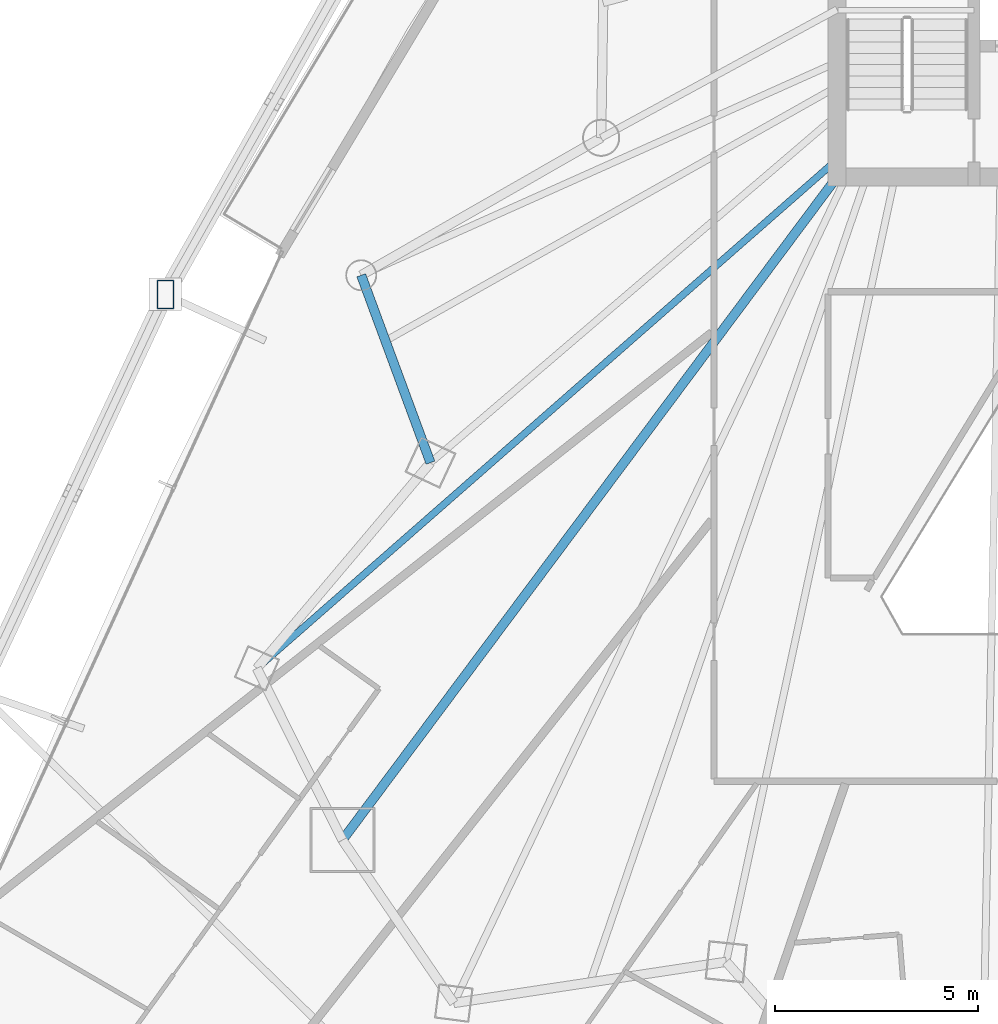
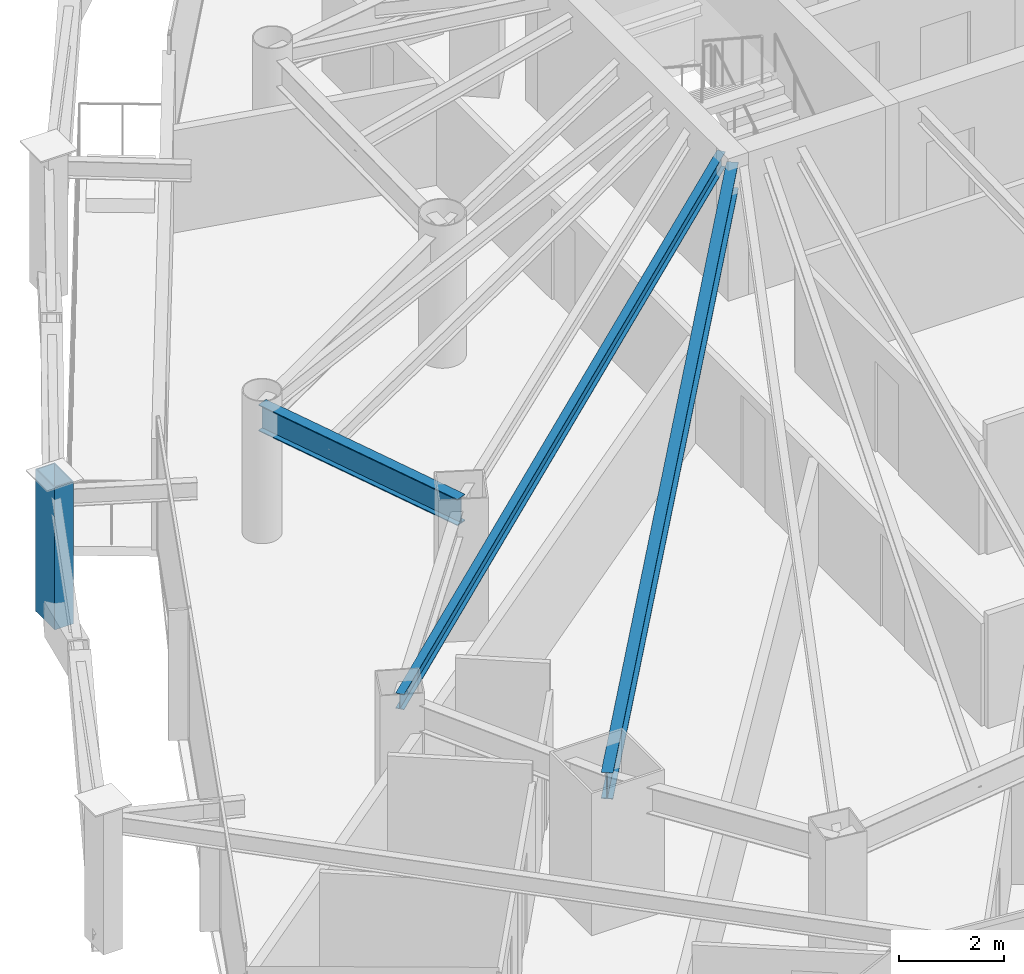
# One storey, part 10 of 38: 3 beams, 1 member.
"""IFC4 building model written with IfcOpenShell, lengths in metres."""

from ifc_helpers import new_model, si_unit, direction, frame, origin, origin_2d, place, context, subcontext, project, spatial, hollow_rectangle, i_section, extrude, material, material_profile, profile_set, type_object, element, save


model = new_model("IFC4")

# Units and contexts
model_context = context("Model", 3, precision=1e-05, world=origin(), true_north=direction((0.0, 1.0)))
body_context = subcontext(model_context, "Body", "Model", "MODEL_VIEW")
ifc_project = project(units=[si_unit("LENGTHUNIT", "METRE"), si_unit("AREAUNIT", "SQUARE_METRE"), si_unit("VOLUMEUNIT", "CUBIC_METRE"), si_unit("PLANEANGLEUNIT", "RADIAN"), si_unit("MASSUNIT", "GRAM", prefix="KILO")], contexts=[model_context])

# Site, building, storey
site_placement = place(None, origin())
site = spatial("IfcSite", under=ifc_project, at=site_placement, CompositionType="ELEMENT")
building_placement = place(site_placement, origin())
building = spatial("IfcBuilding", under=site, at=building_placement, Name="Orvanel Arch Residences", CompositionType="ELEMENT")
storey_placement = place(building_placement, frame((0.0, 0.0, 56.60009765625)))
storey = spatial("IfcBuildingStorey", under=building, at=storey_placement, Name="L15", CompositionType="ELEMENT", Elevation=56.60009765625)

# Beams
ifc_material_1 = material(Name="Structural steel AS/NZS 3679.1 Grade 300 (300 MPa)", Category="steel")
ifc_material_profile_1 = material_profile(ifc_material_1, i_section(OverallWidth=0.22900390625, OverallDepth=0.612060546875, WebThickness=0.011962890625, FlangeThickness=0.01953125, at=origin_2d()), Name="610UB125")
ifc_profile_set_1 = profile_set([ifc_material_profile_1], Name="Structural steel AS/NZS 3679.1 Grade 300 (300 MPa)")
beam_type_1 = type_object("IfcBeamType", Name="BG-610UB", PredefinedType="BEAM", material=ifc_profile_set_1)
beam_1_placement = place(storey_placement, frame((26.375, 26.675048828125, 2.7138671875), z_axis=(-0.597893733742, -0.801575375839, 0.0), x_axis=(0.801575375839, -0.597893733742, 0.0)))
element("IfcBeam", 1, at=beam_1_placement, inside=storey, type_object=beam_type_1, Name="L15 South-West Radial Girder", PredefinedType="BEAM", context=body_context, shape_type="SweptSolid", body=[
    extrude(i_section(OverallWidth=0.22900390625, OverallDepth=0.612060546875, WebThickness=0.011962890625, FlangeThickness=0.01953125, at=origin_2d()), origin(), (0.0, 0.0, 1.0), 20.36474609375),
])
ifc_material_profile_2 = material_profile(ifc_material_1, i_section(OverallWidth=0.1708984375, OverallDepth=0.35595703125, WebThickness=0.00732421875, FlangeThickness=0.011474609375, at=origin_2d()), Name="360UB50.7")
ifc_profile_set_2 = profile_set([ifc_material_profile_2], Name="Structural steel AS/NZS 3679.1 Grade 300 (300 MPa)")
beam_type_2 = type_object("IfcBeamType", Name="BJ-360UB", PredefinedType="JOIST", material=ifc_profile_set_2)
beam_2_placement = place(storey_placement, frame((26.375, 27.10009765625, 2.841796875), z_axis=(-0.751924114057, -0.659249669472, 0.0), x_axis=(0.659249669472, -0.751924114057, 0.0)))
element("IfcBeam", 2, at=beam_2_placement, inside=storey, type_object=beam_type_2, Name="L15 MW Wing Floor Joist", PredefinedType="JOIST", context=body_context, shape_type="SweptSolid", body=[
    extrude(i_section(OverallWidth=0.1708984375, OverallDepth=0.35595703125, WebThickness=0.00732421875, FlangeThickness=0.011474609375, at=origin_2d()), origin(), (0.0, 0.0, 1.0), 18.9912109375),
])

# Member
ifc_material_2 = material(Name="Structural steel AS/NZS 3678 Grade 350", Category="steel")
ifc_material_profile_3 = material_profile(ifc_material_2, hollow_rectangle(XDim=0.419921875, YDim=0.719970703125, WallThickness=0.02490234375, at=origin_2d()), Name="RHS720x420x25")
ifc_profile_set_3 = profile_set([ifc_material_profile_3], Name="Structural steel AS/NZS 3678 Grade 350")
member_type = type_object("IfcMemberType", Name="CH-720RHS-EXT", PredefinedType="CHORD", material=ifc_profile_set_3)
member_placement = place(storey_placement, frame((9.839111328125, 23.782958984375, 0.0), z_axis=(0.0, 0.0, 1.0), x_axis=(1.0, 0.0, 0.0)))
element("IfcMember", 3, at=member_placement, inside=storey, type_object=member_type, Name="L15 Outer Perimeter Frame Post 03", PredefinedType="CHORD", context=body_context, shape_type="SweptSolid", body=[
    extrude(hollow_rectangle(XDim=0.419921875, YDim=0.719970703125, WallThickness=0.02490234375, at=origin_2d()), origin(), (0.0, 0.0, 1.0), 3.2998046875),
])

# Beam
ifc_material_profile_4 = material_profile(ifc_material_1, i_section(OverallWidth=0.22900390625, OverallDepth=0.612060546875, WebThickness=0.011962890625, FlangeThickness=0.01953125, at=origin_2d()), Name="610UB125")
ifc_profile_set_4 = profile_set([ifc_material_profile_4], Name="Structural steel AS/NZS 3679.1 Grade 300 (300 MPa)")
beam_type_3 = type_object("IfcBeamType", Name="SP-610UB", PredefinedType="SPANDREL", material=ifc_profile_set_4)
beam_3_placement = place(storey_placement, frame((14.662109375, 24.256103515625, 2.7138671875), z_axis=(0.346588434017, -0.938017301229, 0.0), x_axis=(0.938017301229, 0.346588434017, 0.0)))
element("IfcBeam", 4, at=beam_3_placement, inside=storey, type_object=beam_type_3, Name="L15 Perimeter Spandrel Beam 22", PredefinedType="SPANDREL", context=body_context, shape_type="SweptSolid", body=[
    extrude(i_section(OverallWidth=0.22900390625, OverallDepth=0.612060546875, WebThickness=0.011962890625, FlangeThickness=0.01953125, at=origin_2d()), origin(), (0.0, 0.0, 1.0), 4.9189453125),
])

save(model, "model.ifc")
